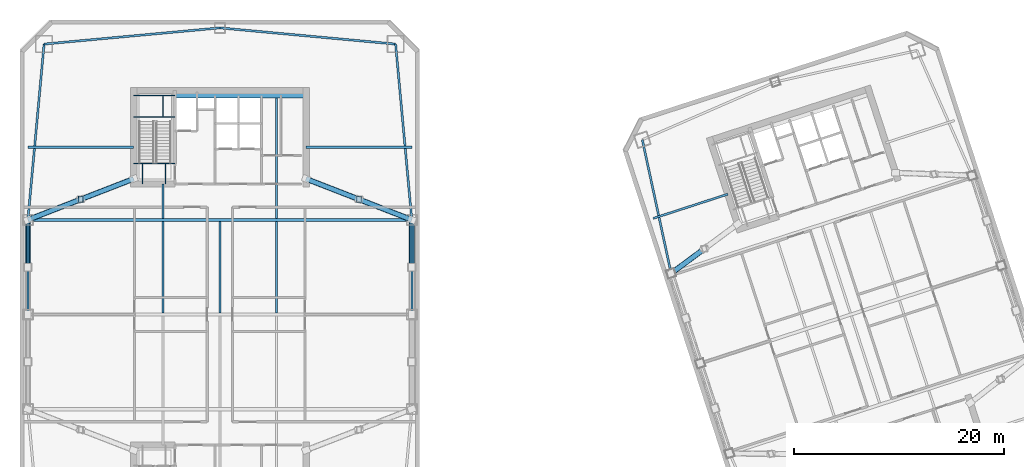
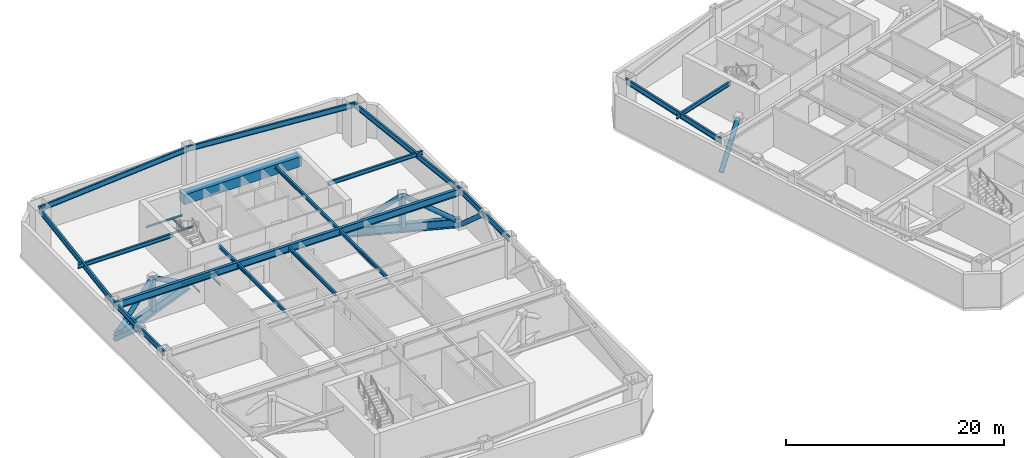
# One storey, part 4 of 14: 25 beams, 9 members.
"""IFC4 building model written with IfcOpenShell, lengths in metres."""

from ifc_helpers import new_model, si_unit, direction, frame, origin, origin_2d, place, context, subcontext, project, spatial, rectangle, hollow_rectangle, hollow_circle, i_section, extrude, material, material_profile, profile_set, type_object, element, save


model = new_model("IFC4")

# Units and contexts
model_context = context("Model", 3, precision=1e-05, world=origin(), true_north=direction((0.0, 1.0)))
body_context = subcontext(model_context, "Body", "Model", "MODEL_VIEW")
ifc_project = project(units=[si_unit("LENGTHUNIT", "METRE"), si_unit("AREAUNIT", "SQUARE_METRE"), si_unit("VOLUMEUNIT", "CUBIC_METRE"), si_unit("PLANEANGLEUNIT", "RADIAN"), si_unit("MASSUNIT", "GRAM", prefix="KILO")], contexts=[model_context])

# Site, building, storey
site_placement = place(None, origin())
site = spatial("IfcSite", under=ifc_project, at=site_placement, CompositionType="ELEMENT")
building_placement = place(site_placement, origin())
building = spatial("IfcBuilding", under=site, at=building_placement, Name="Qiaolan Cultural Towers", CompositionType="ELEMENT")
storey_placement = place(building_placement, frame((0.0, 0.0, 138.0)))
storey = spatial("IfcBuildingStorey", under=building, at=storey_placement, Name="L36", CompositionType="ELEMENT", Elevation=138.0)

# Beams
ifc_material_1 = material(Name="Steel Q390GJB", Category="steel")
ifc_material_profile_1 = material_profile(ifc_material_1, i_section(OverallWidth=0.449951171875, OverallDepth=1.0, WebThickness=0.02392578125, FlangeThickness=0.0400390625, at=origin_2d()), Name="BH1000x450x24x40")
ifc_profile_set_1 = profile_set([ifc_material_profile_1], Name="Steel Q390GJB")
beam_type_1 = type_object("IfcBeamType", Name="BM-BH1000x450x24x40", PredefinedType="BEAM", material=ifc_profile_set_1)
for number, where, z_axis, x_axis, name in (
    (1, (21.800048828125, 46.89990234375, 0.5), (-0.932269206067, -0.361765293276, 0.0), (0.361765293276, -0.932269206067, 0.0), "L36 T1 Outrigger Bottom Chord Girder WN"),
    (2, (38.199951171875, 46.89990234375, 0.5), (0.932269206067, -0.361765293276, 0.0), (0.361765293276, 0.932269206067, 0.0), "L36 T1 Outrigger Bottom Chord Girder EN"),
):
    element("IfcBeam", number, at=place(storey_placement, frame(where, z_axis=z_axis, x_axis=x_axis)), inside=storey, type_object=beam_type_1, Name=name, PredefinedType="BEAM", context=body_context, shape_type="SweptSolid", body=[
        extrude(i_section(OverallWidth=0.449951171875, OverallDepth=1.0, WebThickness=0.02392578125, FlangeThickness=0.0400390625, at=origin_2d()), origin(), (0.0, 0.0, 1.0), 10.7802734375),
    ])
ifc_material_2 = material(Name="Steel Q355B", Category="steel")
ifc_material_profile_2 = material_profile(ifc_material_2, i_section(OverallWidth=0.300048828125, OverallDepth=0.800048828125, WebThickness=0.013916015625, FlangeThickness=0.02587890625, at=origin_2d()), Name="HN800x300x14x26")
ifc_profile_set_2 = profile_set([ifc_material_profile_2], Name="Steel Q355B")
beam_type_2 = type_object("IfcBeamType", Name="BM-HN800x300x14x26", PredefinedType="BEAM", material=ifc_profile_set_2)
beam_1_placement = place(storey_placement, frame((11.75, 43.0, 3.93994140625), z_axis=(1.0, 0.0, 0.0), x_axis=(0.0, 1.0, 0.0)))
element("IfcBeam", 3, at=beam_1_placement, inside=storey, type_object=beam_type_2, Name="L36 T1 Primary Transverse Girder V3", PredefinedType="BEAM", context=body_context, shape_type="SweptSolid", body=[
    extrude(i_section(OverallWidth=0.300048828125, OverallDepth=0.800048828125, WebThickness=0.013916015625, FlangeThickness=0.02587890625, at=origin_2d()), origin(), (0.0, 0.0, 1.0), 36.5),
])
ifc_material_3 = material(Name="Steel Q355B", Category="steel")
ifc_material_profile_3 = material_profile(ifc_material_3, i_section(OverallWidth=0.199951171875, OverallDepth=0.39990234375, WebThickness=0.008056640625, FlangeThickness=0.012939453125, at=origin_2d()), Name="HN400x200x8x13")
ifc_profile_set_3 = profile_set([ifc_material_profile_3], Name="Steel Q355B")
beam_type_3 = type_object("IfcBeamType", Name="BM-JST-HN400x200x8x13", PredefinedType="JOIST", material=ifc_profile_set_3)
beam_2_placement = place(storey_placement, frame((24.60009765625, 34.14990234375, 4.139892578125), z_axis=(0.0, 1.0, 0.0), x_axis=(-1.0, 0.0, 0.0)))
element("IfcBeam", 4, at=beam_2_placement, inside=storey, type_object=beam_type_3, Name="L36 T1 Secondary Floor Joist U1-3", PredefinedType="JOIST", context=body_context, shape_type="SweptSolid", body=[
    extrude(i_section(OverallWidth=0.199951171875, OverallDepth=0.39990234375, WebThickness=0.008056640625, FlangeThickness=0.012939453125, at=origin_2d()), origin(), (0.0, 0.0, 1.0), 8.7001953125),
])
beam_3_placement = place(storey_placement, frame((24.60009765625, 43.14990234375, 4.139892578125), z_axis=(0.0, 1.0, 0.0), x_axis=(-1.0, 0.0, 0.0)))
element("IfcBeam", 5, at=beam_3_placement, inside=storey, type_object=beam_type_3, Name="L36 T1 Secondary Floor Joist U1-4", PredefinedType="JOIST", context=body_context, shape_type="SweptSolid", body=[
    extrude(i_section(OverallWidth=0.199951171875, OverallDepth=0.39990234375, WebThickness=0.008056640625, FlangeThickness=0.012939453125, at=origin_2d()), origin(), (0.0, 0.0, 1.0), 3.25),
])
for number, where, z_axis, x_axis, name in (
    (6, (30.0, 34.14990234375, 4.139892578125), (0.0, 1.0, 0.0), (-1.0, 0.0, 0.0), "L36 T1 Secondary Floor Joist U2-3"),
    (7, (35.39990234375, 34.14990234375, 4.139892578125), (0.0, 1.0, 0.0), (-1.0, 0.0, 0.0), "L36 T1 Secondary Floor Joist U3-3"),
):
    element("IfcBeam", number, at=place(storey_placement, frame(where, z_axis=z_axis, x_axis=x_axis)), inside=storey, type_object=beam_type_3, Name=name, PredefinedType="JOIST", context=body_context, shape_type="SweptSolid", body=[
        extrude(i_section(OverallWidth=0.199951171875, OverallDepth=0.39990234375, WebThickness=0.008056640625, FlangeThickness=0.012939453125, at=origin_2d()), origin(), (0.0, 0.0, 1.0), 8.7001953125),
    ])
beam_4_placement = place(storey_placement, frame((35.39990234375, 43.14990234375, 4.139892578125), z_axis=(0.0, 1.0, 0.0), x_axis=(-1.0, 0.0, 0.0)))
element("IfcBeam", 8, at=beam_4_placement, inside=storey, type_object=beam_type_3, Name="L36 T1 Secondary Floor Joist U3-4", PredefinedType="JOIST", context=body_context, shape_type="SweptSolid", body=[
    extrude(i_section(OverallWidth=0.199951171875, OverallDepth=0.39990234375, WebThickness=0.008056640625, FlangeThickness=0.012939453125, at=origin_2d()), origin(), (0.0, 0.0, 1.0), 11.4501953125),
])
ifc_material_4 = material(Name="Steel Q355B", Category="steel")
ifc_material_profile_4 = material_profile(ifc_material_4, i_section(OverallWidth=0.199951171875, OverallDepth=0.449951171875, WebThickness=0.009033203125, FlangeThickness=0.013916015625, at=origin_2d()), Name="HN450x200x9x14")
ifc_profile_set_4 = profile_set([ifc_material_profile_4], Name="Steel Q355B")
beam_type_4 = type_object("IfcBeamType", Name="BM-LNT-HN450x200x9x14", PredefinedType="LINTEL", material=ifc_profile_set_4)
for number, where, z_axis, x_axis, name in (
    (9, (21.800048828125, 49.89990234375, 4.114990234375), (-1.0, 0.0, 0.0), (0.0, -1.0, 0.0), "L36 T1 Core Flank Tie Lintel WN"),
    (10, (38.199951171875, 49.89990234375, 4.114990234375), (1.0, 0.0, 0.0), (0.0, 1.0, 0.0), "L36 T1 Core Flank Tie Lintel EN"),
):
    element("IfcBeam", number, at=place(storey_placement, frame(where, z_axis=z_axis, x_axis=x_axis)), inside=storey, type_object=beam_type_4, Name=name, PredefinedType="LINTEL", context=body_context, shape_type="SweptSolid", body=[
        extrude(i_section(OverallWidth=0.199951171875, OverallDepth=0.449951171875, WebThickness=0.009033203125, FlangeThickness=0.013916015625, at=origin_2d()), origin(), (0.0, 0.0, 1.0), 10.050048828125),
    ])
beam_5_placement = place(storey_placement, frame((78.291259765625, 45.44189453125, 4.114990234375), z_axis=(-0.951054777171, -0.309022346796, 0.0), x_axis=(0.309022346796, -0.951054777171, 0.0)))
element("IfcBeam", 11, at=beam_5_placement, inside=storey, type_object=beam_type_4, Name="L36 T2 Core Flank Tie Lintel WN", PredefinedType="LINTEL", context=body_context, shape_type="SweptSolid", body=[
    extrude(i_section(OverallWidth=0.199951171875, OverallDepth=0.449951171875, WebThickness=0.009033203125, FlangeThickness=0.013916015625, at=origin_2d()), origin(), (0.0, 0.0, 1.0), 7.4501953125),
])
ifc_material_5 = material(Name="Concrete C50", Category="concrete")
ifc_material_profile_5 = material_profile(ifc_material_5, rectangle(XDim=0.89990234375, YDim=1.10009765625, at=origin_2d()), Name="RC900x1100")
ifc_profile_set_5 = profile_set([ifc_material_profile_5], Name="Concrete C50")
beam_type_5 = type_object("IfcBeamType", Name="BM-RC900x1100", PredefinedType="BEAM", material=ifc_profile_set_5)
beam_6_placement = place(storey_placement, frame((25.719970703125, 55.050048828125, 3.7900390625), z_axis=(1.0, 0.0, 0.0), x_axis=(0.0, 1.0, 0.0)))
element("IfcBeam", 12, at=beam_6_placement, inside=storey, type_object=beam_type_5, Name="L36 T1 Core Header Girder N", PredefinedType="BEAM", context=body_context, shape_type="SweptSolid", body=[
    extrude(rectangle(XDim=0.89990234375, YDim=1.10009765625, at=origin_2d()), origin(), (0.0, 0.0, 1.0), 12.47998046875),
])
ifc_material_6 = material(Name="Steel Q355B", Category="steel")
ifc_material_profile_6 = material_profile(ifc_material_6, i_section(OverallWidth=0.199951171875, OverallDepth=0.60009765625, WebThickness=0.010986328125, FlangeThickness=0.01708984375, at=origin_2d()), Name="HN600x200x11x17")
ifc_profile_set_6 = profile_set([ifc_material_profile_6], Name="Steel Q355B")
beam_type_6 = type_object("IfcBeamType", Name="BM-SPD-HN600x200x11x17", PredefinedType="SPANDREL", material=ifc_profile_set_6)
beam_7_placement = place(storey_placement, frame((48.25, 34.0, 4.0400390625), z_axis=(0.0, 1.0, 0.0), x_axis=(-1.0, 0.0, 0.0)))
element("IfcBeam", 13, at=beam_7_placement, inside=storey, type_object=beam_type_6, Name="L36 T1 Perimeter Spandrel Beam 5", PredefinedType="SPANDREL", context=body_context, shape_type="SweptSolid", body=[
    extrude(i_section(OverallWidth=0.199951171875, OverallDepth=0.60009765625, WebThickness=0.010986328125, FlangeThickness=0.01708984375, at=origin_2d()), origin(), (0.0, 0.0, 1.0), 9.0),
])
for number, where, z_axis, x_axis, name in (
    (14, (48.25, 43.0, 4.0400390625), (-0.09177399582, 0.995779862064, 0.0), (-0.995779862064, -0.09177399582, 0.0), "L36 T1 Perimeter Spandrel Beam 6"),
    (15, (46.7099609375, 59.7099609375, 4.0400390625), (-0.995779862064, 0.09177399582, 0.0), (-0.09177399582, -0.995779862064, 0.0), "L36 T1 Perimeter Spandrel Beam 7"),
    (16, (30.0, 61.25, 4.0400390625), (-0.995779862064, -0.09177399582, 0.0), (0.09177399582, -0.995779862064, 0.0), "L36 T1 Perimeter Spandrel Beam 8"),
    (17, (13.2900390625, 59.7099609375, 4.0400390625), (-0.09177399582, -0.995779862064, 0.0), (0.995779862064, -0.09177399582, 0.0), "L36 T1 Perimeter Spandrel Beam 9"),
):
    element("IfcBeam", number, at=place(storey_placement, frame(where, z_axis=z_axis, x_axis=x_axis)), inside=storey, type_object=beam_type_6, Name=name, PredefinedType="SPANDREL", context=body_context, shape_type="SweptSolid", body=[
        extrude(i_section(OverallWidth=0.199951171875, OverallDepth=0.60009765625, WebThickness=0.010986328125, FlangeThickness=0.01708984375, at=origin_2d()), origin(), (0.0, 0.0, 1.0), 16.78076171875),
    ])
beam_8_placement = place(storey_placement, frame((11.75, 43.0, 4.0400390625), z_axis=(0.0, -1.0, 0.0), x_axis=(1.0, 0.0, 0.0)))
element("IfcBeam", 18, at=beam_8_placement, inside=storey, type_object=beam_type_6, Name="L36 T1 Perimeter Spandrel Beam 10", PredefinedType="SPANDREL", context=body_context, shape_type="SweptSolid", body=[
    extrude(i_section(OverallWidth=0.199951171875, OverallDepth=0.60009765625, WebThickness=0.010986328125, FlangeThickness=0.01708984375, at=origin_2d()), origin(), (0.0, 0.0, 1.0), 9.0),
])
beam_9_placement = place(storey_placement, frame((70.165283203125, 50.61376953125, 4.0400390625), z_axis=(0.210832241173, -0.977522258612, 0.0), x_axis=(0.977522258612, 0.210832241173, 0.0)))
element("IfcBeam", 19, at=beam_9_placement, inside=storey, type_object=beam_type_6, Name="L36 T2 Perimeter Spandrel Beam 9", PredefinedType="SPANDREL", context=body_context, shape_type="SweptSolid", body=[
    extrude(i_section(OverallWidth=0.199951171875, OverallDepth=0.60009765625, WebThickness=0.010986328125, FlangeThickness=0.01708984375, at=origin_2d()), origin(), (0.0, 0.0, 1.0), 12.997314453125),
])
ifc_material_7 = material(Name="Steel Q355B", Category="steel")
ifc_material_profile_7 = material_profile(ifc_material_7, i_section(OverallWidth=0.10009765625, OverallDepth=0.199951171875, WebThickness=0.005615234375, FlangeThickness=0.008056640625, at=origin_2d()), Name="HN200x100x5.5x8")
ifc_profile_set_7 = profile_set([ifc_material_profile_7], Name="Steel Q355B")
beam_type_7 = type_object("IfcBeamType", Name="BM-STTRIM-200", PredefinedType="BEAM", material=ifc_profile_set_7)
beam_10_placement = place(storey_placement, frame((21.800048828125, 48.340087890625, -0.4599609375), z_axis=(1.0, 0.0, 0.0), x_axis=(0.0, 1.0, 0.0)))
element("IfcBeam", 20, at=beam_10_placement, inside=storey, type_object=beam_type_7, Name="L36 ST-W2 Floor Landing Header Beam", PredefinedType="BEAM", context=body_context, shape_type="SweptSolid", body=[
    extrude(i_section(OverallWidth=0.10009765625, OverallDepth=0.199951171875, WebThickness=0.005615234375, FlangeThickness=0.008056640625, at=origin_2d()), origin(), (0.0, 0.0, 1.0), 3.919921875),
])
for number, where, z_axis, x_axis, name in (
    (21, (22.64990234375, 46.39990234375, -0.4599609375), (0.0, 1.0, 0.0), (-1.0, 0.0, 0.0), "L36 ST-W2 Floor Landing Stringer 1"),
    (22, (24.85009765625, 46.39990234375, -0.4599609375), (0.0, 1.0, 0.0), (-1.0, 0.0, 0.0), "L36 ST-W2 Floor Landing Stringer 2"),
):
    element("IfcBeam", number, at=place(storey_placement, frame(where, z_axis=z_axis, x_axis=x_axis)), inside=storey, type_object=beam_type_7, Name=name, PredefinedType="BEAM", context=body_context, shape_type="SweptSolid", body=[
        extrude(i_section(OverallWidth=0.10009765625, OverallDepth=0.199951171875, WebThickness=0.005615234375, FlangeThickness=0.008056640625, at=origin_2d()), origin(), (0.0, 0.0, 1.0), 1.940185546875),
    ])
for number, where, z_axis, x_axis, name in (
    (23, (21.800048828125, 52.788818359375, 2.0), (1.0, 0.0, 0.0), (0.0, 1.0, 0.0), "L36 ST-W2 Stair Landing Support Beam 1-1"),
    (24, (21.800048828125, 54.820068359375, 2.0), (1.0, 0.0, 0.0), (0.0, 1.0, 0.0), "L36 ST-W2 Stair Landing Support Beam 1-2"),
):
    element("IfcBeam", number, at=place(storey_placement, frame(where, z_axis=z_axis, x_axis=x_axis)), inside=storey, type_object=beam_type_7, Name=name, PredefinedType="BEAM", context=body_context, shape_type="SweptSolid", body=[
        extrude(i_section(OverallWidth=0.10009765625, OverallDepth=0.199951171875, WebThickness=0.005615234375, FlangeThickness=0.008056640625, at=origin_2d()), origin(), (0.0, 0.0, 1.0), 3.919921875),
    ])
beam_11_placement = place(storey_placement, frame((24.610107421875, 52.788818359375, 2.0), z_axis=(0.0, 1.0, 0.0), x_axis=(-1.0, 0.0, 0.0)))
element("IfcBeam", 25, at=beam_11_placement, inside=storey, type_object=beam_type_7, Name="L36 ST-W2 Stair Landing Trimmer 1", PredefinedType="BEAM", context=body_context, shape_type="SweptSolid", body=[
    extrude(i_section(OverallWidth=0.10009765625, OverallDepth=0.199951171875, WebThickness=0.005615234375, FlangeThickness=0.008056640625, at=origin_2d()), origin(), (0.0, 0.0, 1.0), 2.03125),
])

# Members
ifc_material_8 = material(Name="Steel Q355B", Category="steel")
ifc_material_profile_8 = material_profile(ifc_material_8, hollow_circle(Radius=0.25, WallThickness=0.02490234375, at=origin_2d()), Name="CHS500x25")
ifc_profile_set_8 = profile_set([ifc_material_profile_8], Name="Steel Q355B")
member_type_1 = type_object("IfcMemberType", Name="MBR-BRC-CHS500x25", PredefinedType="BRACE", material=ifc_profile_set_8)
for number, where, z_axis, x_axis, name in (
    (26, (21.800048828125, 46.89990234375, 0.5), (-0.776587079401, -0.30134581952, 0.553265944339), (0.361757655394, -0.932272169897, 0.0), "L36 T1 Outrigger Truss Diagonal WN-1"),
    (27, (16.77490234375, 44.949951171875, 4.080078125), (-0.776572103417, -0.301354649208, -0.5532821555), (0.361772931457, -0.932266242049, 0.0), "L36 T1 Outrigger Truss Diagonal WN-2"),
    (28, (38.199951171875, 46.89990234375, 0.5), (0.776587079401, -0.30134581952, 0.553265944339), (0.361757655394, 0.932272169897, 0.0), "L36 T1 Outrigger Truss Diagonal EN-1"),
    (29, (43.22509765625, 44.949951171875, 4.080078125), (0.776572103417, -0.301354649208, -0.5532821555), (0.361772931457, 0.932266242049, 0.0), "L36 T1 Outrigger Truss Diagonal EN-2"),
):
    element("IfcMember", number, at=place(storey_placement, frame(where, z_axis=z_axis, x_axis=x_axis)), inside=storey, type_object=member_type_1, Name=name, PredefinedType="BRACE", context=body_context, shape_type="SweptSolid", body=[
        extrude(hollow_circle(Radius=0.25, WallThickness=0.02490234375, at=origin_2d()), origin(), (0.0, 0.0, 1.0), 6.470703125),
    ])
for number, where, z_axis, x_axis, name in (
    (30, (11.75, 38.5, 4.179931640625), (0.0, 0.749061716489, -0.662500222559), (-1.0, 0.0, 0.0), "L36 T1 Perimeter Belt Truss W2-B"),
    (31, (48.25, 38.5, 4.179931640625), (0.0, 0.749061716489, -0.662500222559), (-1.0, 0.0, 0.0), "L36 T1 Perimeter Belt Truss E2-B"),
):
    element("IfcMember", number, at=place(storey_placement, frame(where, z_axis=z_axis, x_axis=x_axis)), inside=storey, type_object=member_type_1, Name=name, PredefinedType="BRACE", context=body_context, shape_type="SweptSolid", body=[
        extrude(hollow_circle(Radius=0.25, WallThickness=0.02490234375, at=origin_2d()), origin(), (0.0, 0.0, 1.0), 6.007568359375),
    ])
member_placement = place(storey_placement, frame((76.061767578125, 40.248779296875, 4.080078125), z_axis=(-0.593778714491, -0.440235843007, -0.673512613652), x_axis=(0.595576701682, -0.80329844542, 0.0)))
element("IfcMember", 32, at=member_placement, inside=storey, type_object=member_type_1, Name="L36 T2 Outrigger Truss Diagonal WN-2", PredefinedType="BRACE", context=body_context, shape_type="SweptSolid", body=[
    extrude(hollow_circle(Radius=0.25, WallThickness=0.02490234375, at=origin_2d()), origin(), (0.0, 0.0, 1.0), 5.3154296875),
])
ifc_material_9 = material(Name="Steel Q355B", Category="steel")
ifc_material_profile_9 = material_profile(ifc_material_9, hollow_rectangle(XDim=0.449951171875, YDim=0.60009765625, WallThickness=0.02197265625, at=origin_2d()), Name="BOX600x450x22")
ifc_profile_set_9 = profile_set([ifc_material_profile_9], Name="Steel Q355B")
member_type_2 = type_object("IfcMemberType", Name="MBR-POST-BOX600x450x22", PredefinedType="STUD", material=ifc_profile_set_9)
for number, where, z_axis, x_axis, name in (
    (33, (16.77490234375, 44.949951171875, 0.5), (0.0, 0.0, 1.0), (1.0, 0.0, 0.0), "L36 T1 Outrigger King Web WN"),
    (34, (43.22509765625, 44.949951171875, 0.5), (0.0, 0.0, 1.0), (1.0, 0.0, 0.0), "L36 T1 Outrigger King Web EN"),
):
    element("IfcMember", number, at=place(storey_placement, frame(where, z_axis=z_axis, x_axis=x_axis)), inside=storey, type_object=member_type_2, Name=name, PredefinedType="STUD", context=body_context, shape_type="SweptSolid", body=[
        extrude(hollow_rectangle(XDim=0.449951171875, YDim=0.60009765625, WallThickness=0.02197265625, at=origin_2d()), origin(), (0.0, 0.0, 1.0), 3.580078125),
    ])

save(model, "model.ifc")
